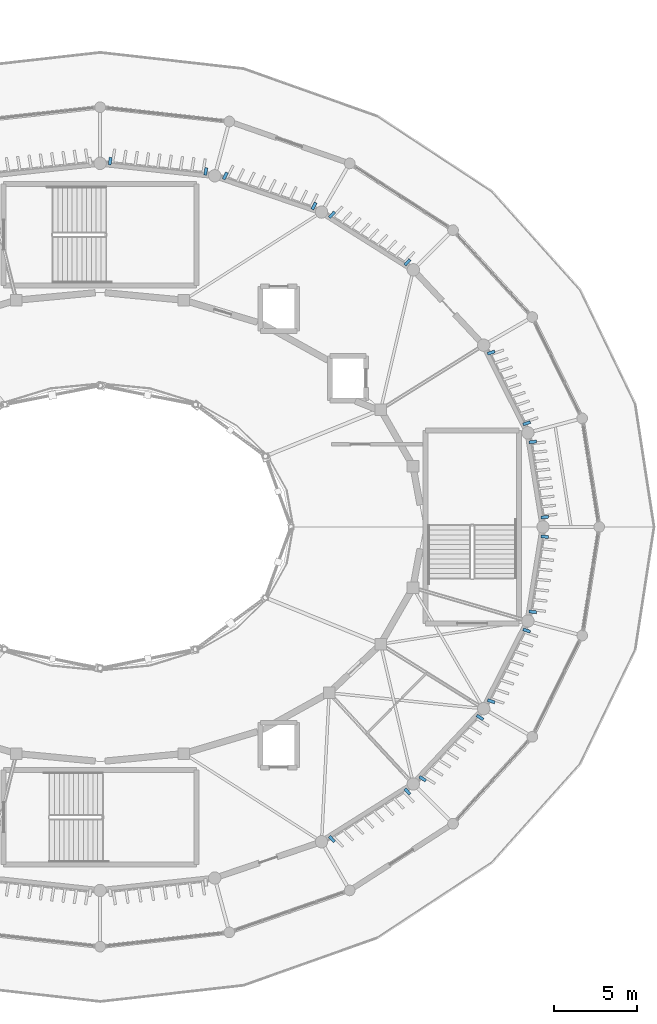
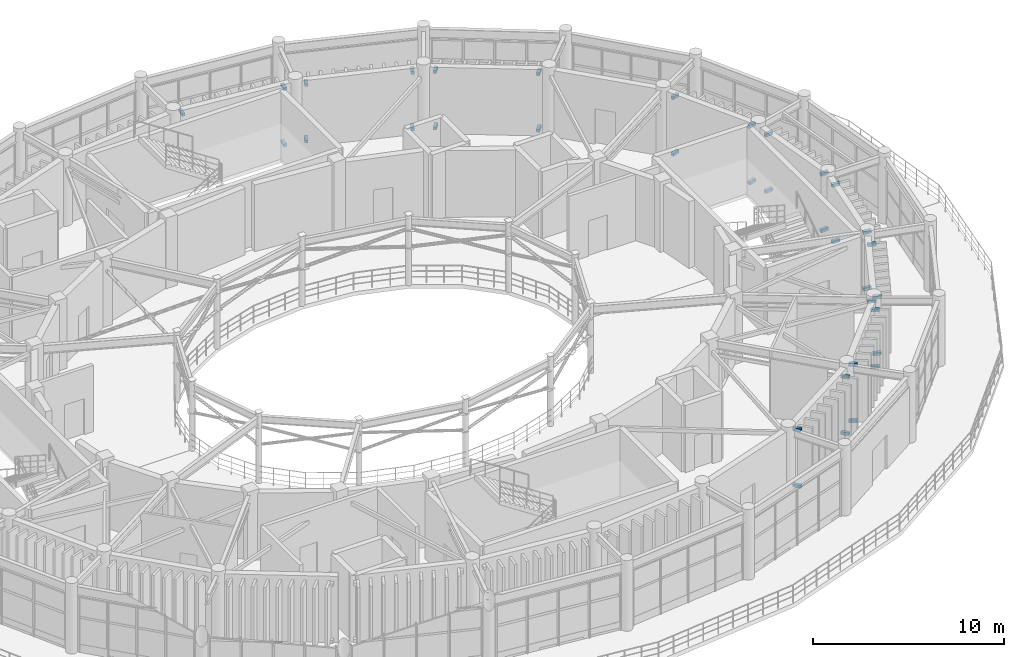
# One storey, part 37 of 45: 35 discrete accessories.
"""IFC4 building model written with IfcOpenShell, lengths in metres."""

from ifc_helpers import new_model, si_unit, direction, frame, origin, origin_2d, place, context, subcontext, project, spatial, rectangle, extrude, material, type_object, element, save


model = new_model("IFC4")

# Units and contexts
model_context = context("Model", 3, precision=1e-05, world=origin(), true_north=direction((0.0, 1.0)))
body_context = subcontext(model_context, "Body", "Model", "MODEL_VIEW")
ifc_project = project(units=[si_unit("LENGTHUNIT", "METRE"), si_unit("AREAUNIT", "SQUARE_METRE"), si_unit("VOLUMEUNIT", "CUBIC_METRE"), si_unit("PLANEANGLEUNIT", "RADIAN"), si_unit("MASSUNIT", "GRAM", prefix="KILO")], contexts=[model_context])

# Site, building, storey
site_placement = place(None, origin())
site = spatial("IfcSite", under=ifc_project, at=site_placement, CompositionType="ELEMENT")
building_placement = place(site_placement, origin())
building = spatial("IfcBuilding", under=site, at=building_placement, Name="Cinderbank Siding Concert Hall", CompositionType="ELEMENT")
storey_placement = place(building_placement, frame((0.0, 0.0, 19.199951171875)))
storey = spatial("IfcBuildingStorey", under=building, at=storey_placement, Name="L05", CompositionType="ELEMENT", Elevation=19.199951171875)

# Discrete accessories
ifc_material = material(Name="Structural steel AS/NZS 3679.1 Grade 350 (340 MPa)", Category="steel")
discrete_accessory_type = type_object("IfcDiscreteAccessoryType", Name="BK-01 Outrigger Steel Bracket 180x920", PredefinedType="BRACKET", material=ifc_material)
for number, where, z_axis, x_axis, name in (
    (1, (148.906982421875, 44.59423828125, 0.1298828125), (0.0, 0.0, 1.0), (0.994210818271, 0.107446958234, 0.0), "L05 Louvre Outrigger Bracket 01-BOT-A"),
    (2, (148.177490234375, 49.142822265625, 0.1298828125), (0.0, 0.0, 1.0), (0.994210818271, 0.107446958234, 0.0), "L05 Louvre Outrigger Bracket 01-BOT-B"),
    (3, (148.906982421875, 44.59423828125, 3.72998046875), (0.0, 0.0, 1.0), (0.994210818271, 0.107446958234, 0.0), "L05 Louvre Outrigger Bracket 01-TOP-A"),
    (4, (148.177490234375, 49.142822265625, 3.72998046875), (0.0, 0.0, 1.0), (0.994210818271, 0.107446958234, 0.0), "L05 Louvre Outrigger Bracket 01-TOP-B"),
    (5, (147.81494140625, 50.276123046875, 0.1298828125), (0.0, 0.0, 1.0), (0.946765351164, 0.321924478466, 0.0), "L05 Louvre Outrigger Bracket 02-BOT-A"),
    (6, (145.66015625, 54.546630859375, 0.1298828125), (0.0, 0.0, 1.0), (0.946765351164, 0.321924478466, 0.0), "L05 Louvre Outrigger Bracket 02-BOT-B"),
    (7, (147.81494140625, 50.276123046875, 3.72998046875), (0.0, 0.0, 1.0), (0.946765351164, 0.321924478466, 0.0), "L05 Louvre Outrigger Bracket 02-TOP-A"),
    (8, (145.66015625, 54.546630859375, 3.72998046875), (0.0, 0.0, 1.0), (0.946765351164, 0.321924478466, 0.0), "L05 Louvre Outrigger Bracket 02-TOP-B"),
    (9, (140.59619140625, 60.011474609375, 0.1298828125), (0.0, 0.0, 1.0), (0.682869257989, 0.730540605643, 0.0), "L05 Louvre Outrigger Bracket 04-BOT-A"),
    (10, (136.02734375, 62.8896484375, 0.1298828125), (0.0, 0.0, 1.0), (0.682869257989, 0.730540605643, 0.0), "L05 Louvre Outrigger Bracket 04-BOT-B"),
    (11, (140.59619140625, 60.011474609375, 3.72998046875), (0.0, 0.0, 1.0), (0.682869257989, 0.730540605643, 0.0), "L05 Louvre Outrigger Bracket 04-TOP-A"),
    (12, (136.02734375, 62.8896484375, 3.72998046875), (0.0, 0.0, 1.0), (0.682869257989, 0.730540605643, 0.0), "L05 Louvre Outrigger Bracket 04-TOP-B"),
    (13, (134.94091796875, 63.41796875, 0.1298828125), (0.0, 0.0, 1.0), (0.450487284518, 0.89278284397, 0.0), "L05 Louvre Outrigger Bracket 05-BOT-A"),
    (14, (129.57568359375, 65.2421875, 0.1298828125), (0.0, 0.0, 1.0), (0.450487284518, 0.89278284397, 0.0), "L05 Louvre Outrigger Bracket 05-BOT-B"),
    (15, (134.94091796875, 63.41796875, 3.72998046875), (0.0, 0.0, 1.0), (0.450487284518, 0.89278284397, 0.0), "L05 Louvre Outrigger Bracket 05-TOP-A"),
    (16, (129.57568359375, 65.2421875, 3.72998046875), (0.0, 0.0, 1.0), (0.450487284518, 0.89278284397, 0.0), "L05 Louvre Outrigger Bracket 05-TOP-B"),
    (17, (128.391357421875, 65.51025390625, 0.1298828125), (0.0, 0.0, 1.0), (0.158354123126, 0.987382383724, 0.0), "L05 Louvre Outrigger Bracket 06-BOT-A"),
    (18, (128.391357421875, 65.51025390625, 3.72998046875), (0.0, 0.0, 1.0), (0.158354123126, 0.987382383724, 0.0), "L05 Louvre Outrigger Bracket 06-TOP-A"),
    (19, (122.6083984375, 66.13525390625, 3.72998046875), (0.0, 0.0, 1.0), (0.158354123126, 0.987382383724, 0.0), "L05 Louvre Outrigger Bracket 06-TOP-B"),
    (20, (136.02734375, 25.1103515625, 0.1298828125), (0.0, 0.0, 1.0), (0.682869257989, -0.730540605643, 0.0), "L05 Louvre Outrigger Bracket 21-BOT-A"),
    (21, (140.59619140625, 27.988525390625, 0.1298828125), (0.0, 0.0, 1.0), (0.682869257989, -0.730540605643, 0.0), "L05 Louvre Outrigger Bracket 21-BOT-B"),
    (22, (136.02734375, 25.1103515625, 3.72998046875), (0.0, 0.0, 1.0), (0.682869257989, -0.730540605643, 0.0), "L05 Louvre Outrigger Bracket 21-TOP-A"),
    (23, (140.59619140625, 27.988525390625, 3.72998046875), (0.0, 0.0, 1.0), (0.682869257989, -0.730540605643, 0.0), "L05 Louvre Outrigger Bracket 21-TOP-B"),
    (24, (141.515869140625, 28.7607421875, 0.1298828125), (0.0, 0.0, 1.0), (0.846132246596, -0.532973002384, 0.0), "L05 Louvre Outrigger Bracket 22-BOT-A"),
    (25, (144.982666015625, 32.4697265625, 0.1298828125), (0.0, 0.0, 1.0), (0.846132246596, -0.532973002384, 0.0), "L05 Louvre Outrigger Bracket 22-BOT-B"),
    (26, (141.515869140625, 28.7607421875, 3.72998046875), (0.0, 0.0, 1.0), (0.846132246596, -0.532973002384, 0.0), "L05 Louvre Outrigger Bracket 22-TOP-A"),
    (27, (144.982666015625, 32.4697265625, 3.72998046875), (0.0, 0.0, 1.0), (0.846132246596, -0.532973002384, 0.0), "L05 Louvre Outrigger Bracket 22-TOP-B"),
    (28, (145.66015625, 33.453369140625, 0.1298828125), (0.0, 0.0, 1.0), (0.946765351164, -0.321924478466, 0.0), "L05 Louvre Outrigger Bracket 23-BOT-A"),
    (29, (147.81494140625, 37.723876953125, 0.1298828125), (0.0, 0.0, 1.0), (0.946765351164, -0.321924478466, 0.0), "L05 Louvre Outrigger Bracket 23-BOT-B"),
    (30, (145.66015625, 33.453369140625, 3.72998046875), (0.0, 0.0, 1.0), (0.946765351164, -0.321924478466, 0.0), "L05 Louvre Outrigger Bracket 23-TOP-A"),
    (31, (147.81494140625, 37.723876953125, 3.72998046875), (0.0, 0.0, 1.0), (0.946765351164, -0.321924478466, 0.0), "L05 Louvre Outrigger Bracket 23-TOP-B"),
    (32, (148.177490234375, 38.857177734375, 0.1298828125), (0.0, 0.0, 1.0), (0.994210818271, -0.107446958234, 0.0), "L05 Louvre Outrigger Bracket 24-BOT-A"),
    (33, (148.906982421875, 43.40576171875, 0.1298828125), (0.0, 0.0, 1.0), (0.994210818271, -0.107446958234, 0.0), "L05 Louvre Outrigger Bracket 24-BOT-B"),
    (34, (148.177490234375, 38.857177734375, 3.72998046875), (0.0, 0.0, 1.0), (0.994210818271, -0.107446958234, 0.0), "L05 Louvre Outrigger Bracket 24-TOP-A"),
    (35, (148.906982421875, 43.40576171875, 3.72998046875), (0.0, 0.0, 1.0), (0.994210818271, -0.107446958234, 0.0), "L05 Louvre Outrigger Bracket 24-TOP-B"),
):
    element("IfcDiscreteAccessory", number, at=place(storey_placement, frame(where, z_axis=z_axis, x_axis=x_axis)), inside=storey, type_object=discrete_accessory_type, Name=name, PredefinedType="BRACKET", context=body_context, shape_type="SweptSolid", body=[
        extrude(rectangle(XDim=0.4599609375, YDim=0.179931640625, at=origin_2d()), origin(), (0.0, 0.0, 1.0), 0.179931640625),
    ])

save(model, "model.ifc")
